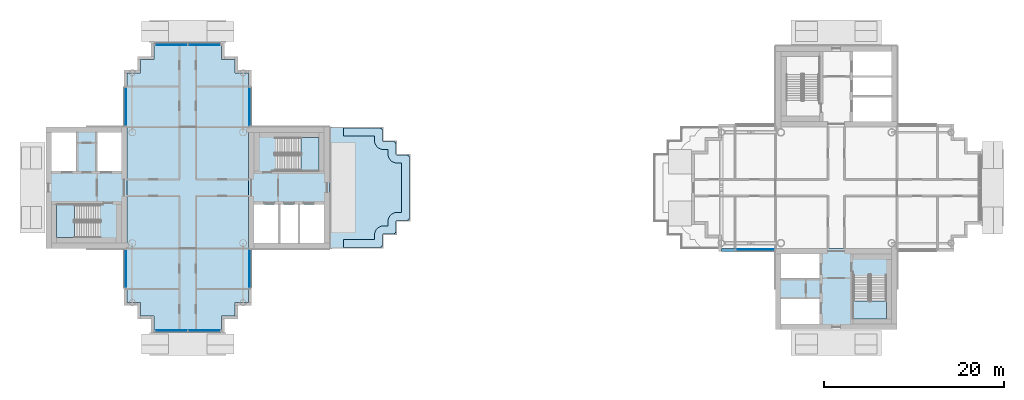
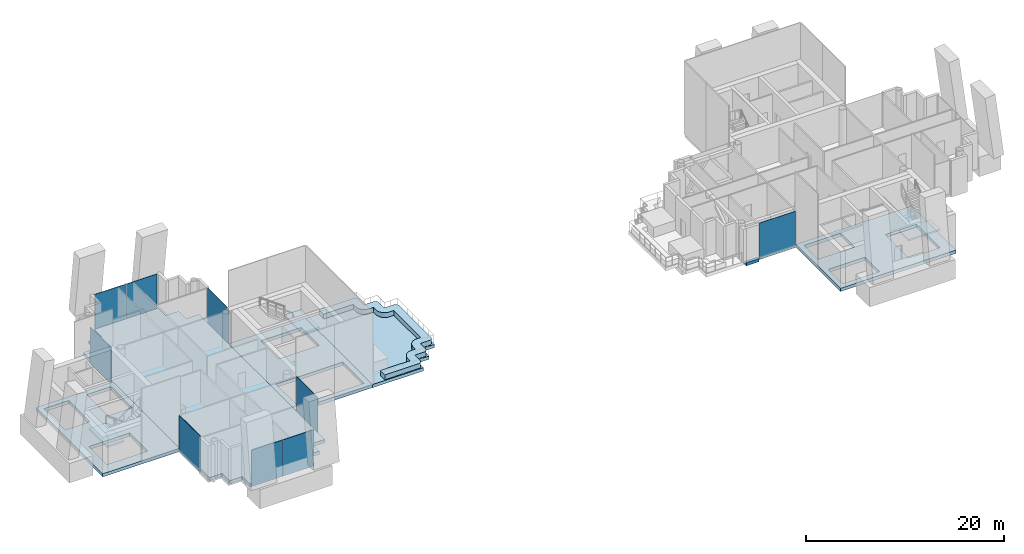
# One storey, part 5 of 16: 10 slabs, 9 plates, 10 elements without a shape of their own.
"""IFC4 building model written with IfcOpenShell, lengths in metres."""

from ifc_helpers import new_model, si_unit, direction, frame, origin, origin_2d, place, context, subcontext, project, spatial, polyline, rectangle, outline, extrude, material, layer, layer_set, type_object, element, aggregate, save


model = new_model("IFC4")

# Units and contexts
model_context = context("Model", 3, precision=1e-05, world=origin(), true_north=direction((0.0, 1.0)))
body_context = subcontext(model_context, "Body", "Model", "MODEL_VIEW")
ifc_project = project(units=[si_unit("LENGTHUNIT", "METRE"), si_unit("AREAUNIT", "SQUARE_METRE"), si_unit("VOLUMEUNIT", "CUBIC_METRE"), si_unit("PLANEANGLEUNIT", "RADIAN"), si_unit("MASSUNIT", "GRAM", prefix="KILO")], contexts=[model_context])

# Site, building, storey
site_placement = place(None, origin())
site = spatial("IfcSite", under=ifc_project, at=site_placement, CompositionType="ELEMENT")
building_placement = place(site_placement, origin())
building = spatial("IfcBuilding", under=site, at=building_placement, Name="Ipe Terrace Towers", CompositionType="ELEMENT")
storey_placement = place(building_placement, frame((0.0, 0.0, 233.39990234375)))
storey = spatial("IfcBuildingStorey", under=building, at=storey_placement, Name="L65", CompositionType="ELEMENT", Elevation=233.39990234375)

# Slabs
ifc_material_1 = material(Name="Concrete C30/37", Category="concrete")
ifc_layer_1 = layer(ifc_material_1, 0.39990234375)
ifc_layer_set_1 = layer_set([ifc_layer_1], Name="CORE FLOOR SLAB 400 C30-37")
slab_type_1 = type_object("IfcSlabType", Name="CORE FLOOR SLAB 400 C30-37", PredefinedType="FLOOR", material=ifc_layer_set_1)
slab_1_placement = place(storey_placement, frame((0.0, 0.0, -0.39990234375)))
element("IfcSlab", 1, at=slab_1_placement, inside=storey, type_object=slab_type_1, Name="Core floor T1-C1", PredefinedType="FLOOR", context=body_context, shape_type="SweptSolid", body=[
    extrude(outline(polyline([(-29.25, -6.75), (-29.25, 6.75), (-20.25, 6.75), (-20.25, -6.75), (-29.25, -6.75)]), holes=[polyline([(-28.64990234375, -6.14990234375), (-20.85009765625, -6.14990234375), (-20.85009765625, -1.85009765625), (-28.64990234375, -1.85009765625), (-28.64990234375, -6.14990234375)]), polyline([(-26.199951171875, 5.550048828125), (-26.199951171875, 1.89990234375), (-21.449951171875, 1.89990234375), (-21.449951171875, 5.550048828125), (-26.199951171875, 5.550048828125)])]), origin(), (0.0, 0.0, 1.0), 0.39990234375),
])
slab_2_placement = place(storey_placement, frame((0.0, 0.0, -0.39990234375)))
element("IfcSlab", 2, at=slab_2_placement, inside=storey, type_object=slab_type_1, Name="Core floor T1-C2", PredefinedType="FLOOR", context=body_context, shape_type="SweptSolid", body=[
    extrude(outline(polyline([(-51.75, -6.75), (-51.75, 6.75), (-42.75, 6.75), (-42.75, -6.75), (-51.75, -6.75)]), holes=[polyline([(-45.800048828125, -1.89990234375), (-50.550048828125, -1.89990234375), (-50.550048828125, -5.550048828125), (-45.800048828125, -5.550048828125), (-45.800048828125, -1.89990234375)]), polyline([(-48.25, 1.85009765625), (-48.25, 6.14990234375), (-51.14990234375, 6.14990234375), (-51.14990234375, 1.85009765625), (-48.25, 1.85009765625)]), polyline([(-43.35009765625, 1.85009765625), (-43.35009765625, 6.14990234375), (-46.14990234375, 6.14990234375), (-46.14990234375, 1.85009765625), (-43.35009765625, 1.85009765625)])]), origin(), (0.0, 0.0, 1.0), 0.39990234375),
])
slab_3_placement = place(storey_placement, frame((0.0, 0.0, -0.39990234375)))
element("IfcSlab", 3, at=slab_3_placement, inside=storey, type_object=slab_type_1, Name="Core floor T2-C2", PredefinedType="FLOOR", context=body_context, shape_type="SweptSolid", body=[
    extrude(outline(polyline([(29.25, -15.75), (29.25, -6.75), (42.75, -6.75), (42.75, -15.75), (29.25, -15.75)]), holes=[polyline([(29.85009765625, -12.25), (29.85009765625, -15.14990234375), (34.14990234375, -15.14990234375), (34.14990234375, -12.25), (29.85009765625, -12.25)]), polyline([(41.550048828125, -9.800048828125), (37.89990234375, -9.800048828125), (37.89990234375, -14.550048828125), (41.550048828125, -14.550048828125), (41.550048828125, -9.800048828125)]), polyline([(34.14990234375, -7.35009765625), (29.85009765625, -7.35009765625), (29.85009765625, -10.14990234375), (34.14990234375, -10.14990234375), (34.14990234375, -7.35009765625)])]), origin(), (0.0, 0.0, 1.0), 0.39990234375),
])

# Stair, slab
ifc_material_2 = material(Name="Concrete C30/37", Category="concrete")
stair_type = type_object("IfcStairType", Name="Protected exit stair", PredefinedType="HALF_TURN_STAIR", material=ifc_material_2)
stair_1_placement = place(storey_placement, origin())
stair_1 = element("IfcStair", 4, at=stair_1_placement, inside=storey, type_object=stair_type, Name="L65 Exit stair T1-C1", PredefinedType="HALF_TURN_STAIR")
ifc_material_3 = material(Name="Concrete C30/37", Category="concrete")
ifc_layer_2 = layer(ifc_material_3, 0.199951171875)
ifc_layer_set_2 = layer_set([ifc_layer_2], Name="Exit stair landing 200")
slab_type_2 = type_object("IfcSlabType", Name="Exit stair landing 200", PredefinedType="LANDING", material=ifc_layer_set_2)
slab_4_placement = place(storey_placement, frame((0.0, 0.0, 2.050048828125)))
slab_4 = element("IfcSlab", 5, at=slab_4_placement, type_object=slab_type_2, Name="T1-ST1 landing 1", PredefinedType="LANDING", context=body_context, shape_type="SweptSolid", body=[
    extrude(outline(polyline([(-23.43994140625, 1.89990234375), (-21.449951171875, 1.89990234375), (-21.449951171875, 5.550048828125), (-23.43994140625, 5.550048828125), (-23.43994140625, 1.89990234375)])), origin(), (0.0, 0.0, 1.0), 0.199951171875),
])
aggregate(stair_1, [slab_4])

stair_2_placement = place(storey_placement, origin())
stair_2 = element("IfcStair", 6, at=stair_2_placement, inside=storey, type_object=stair_type, Name="L65 Exit stair T1-C2", PredefinedType="HALF_TURN_STAIR")
slab_5_placement = place(storey_placement, frame((0.0, 0.0, 2.050048828125)))
slab_5 = element("IfcSlab", 7, at=slab_5_placement, type_object=slab_type_2, Name="T1-ST2 landing 1", PredefinedType="LANDING", context=body_context, shape_type="SweptSolid", body=[
    extrude(outline(polyline([(-48.56005859375, -1.89990234375), (-50.550048828125, -1.89990234375), (-50.550048828125, -5.550048828125), (-48.56005859375, -5.550048828125), (-48.56005859375, -1.89990234375)])), origin(), (0.0, 0.0, 1.0), 0.199951171875),
])
aggregate(stair_2, [slab_5])

stair_3_placement = place(storey_placement, origin())
stair_3 = element("IfcStair", 8, at=stair_3_placement, inside=storey, type_object=stair_type, Name="L65 Exit stair T2-C2", PredefinedType="HALF_TURN_STAIR")
slab_6_placement = place(storey_placement, frame((0.0, 0.0, 2.050048828125)))
slab_6 = element("IfcSlab", 9, at=slab_6_placement, type_object=slab_type_2, Name="T2-ST2 landing 1", PredefinedType="LANDING", context=body_context, shape_type="SweptSolid", body=[
    extrude(outline(polyline([(37.89990234375, -12.56005859375), (37.89990234375, -14.550048828125), (41.550048828125, -14.550048828125), (41.550048828125, -12.56005859375), (37.89990234375, -12.56005859375)])), origin(), (0.0, 0.0, 1.0), 0.199951171875),
])
aggregate(stair_3, [slab_6])

# Slabs
ifc_material_4 = material(Name="Concrete C40/50", Category="concrete")
ifc_layer_3 = layer(ifc_material_4, 0.39990234375)
ifc_layer_set_3 = layer_set([ifc_layer_3], Name="FLAT PLATE SLAB 400 C40-50")
slab_type_3 = type_object("IfcSlabType", Name="FLAT PLATE SLAB 400 C40-50", PredefinedType="FLOOR", material=ifc_layer_set_3)
slab_7_placement = place(storey_placement, frame((0.0, 0.0, -0.39990234375)))
element("IfcSlab", 10, at=slab_7_placement, inside=storey, type_object=slab_type_3, Name="Slab T1-FS-Z41", PredefinedType="FLOOR", context=body_context, shape_type="SweptSolid", body=[
    extrude(outline(polyline([(-30.75, -12.75), (-30.75, -14.25), (-32.25, -14.25), (-32.25, -15.75), (-39.75, -15.75), (-39.75, -14.25), (-41.25, -14.25), (-41.25, -12.75), (-42.75, -12.75), (-42.75, -6.75), (-42.75, 6.75), (-42.75, 12.75), (-41.25, 12.75), (-41.25, 14.25), (-39.75, 14.25), (-39.75, 15.75), (-32.25, 15.75), (-32.25, 14.25), (-30.75, 14.25), (-30.75, 12.75), (-29.25, 12.75), (-29.25, 6.75), (-29.25, -6.75), (-29.25, -12.75), (-30.75, -12.75)])), origin(), (0.0, 0.0, 1.0), 0.39990234375),
])
slab_8_placement = place(storey_placement, frame((0.0, 0.0, -0.39990234375)))
element("IfcSlab", 11, at=slab_8_placement, inside=storey, type_object=slab_type_3, Name="Slab ledge", PredefinedType="FLOOR", context=body_context, shape_type="SweptSolid", body=[
    extrude(outline(polyline([(23.25, -6.75), (24.75, -6.75), (24.75, -7.070068359375), (23.25, -7.070068359375), (23.25, -6.75)])), origin(), (0.0, 0.0, 1.0), 0.39990234375),
])

# Curtain wall, plate
ifc_material_5 = material(Name="Aluminium alloy 6063-T6", Category="aluminium")
ifc_layer_4 = layer(ifc_material_5, 0.320068359375)
ifc_layer_set_4 = layer_set([ifc_layer_4], Name="PLANT LOUVRE CURTAIN WALL")
curtain_wall_type = type_object("IfcCurtainWallType", Name="PLANT LOUVRE CURTAIN WALL", PredefinedType="NOTDEFINED", material=ifc_layer_set_4)
curtain_wall_1_placement = place(storey_placement, origin())
curtain_wall_1 = element("IfcCurtainWall", 12, at=curtain_wall_1_placement, inside=storey, type_object=curtain_wall_type, Name="T1-CW-L65-02a curtain wall", PredefinedType="NOTDEFINED")
ifc_material_6 = material(Name="Aluminium alloy 6063-T6 louvre", Category="aluminium")
ifc_layer_5 = layer(ifc_material_6, 0.050048828125)
ifc_layer_set_5 = layer_set([ifc_layer_5], Name="PLANT LOUVRE LOUVRE PANEL 50")
plate_type = type_object("IfcPlateType", Name="PLANT LOUVRE LOUVRE PANEL 50", PredefinedType="CURTAIN_PANEL", material=ifc_layer_set_5)
plate_1_placement = place(storey_placement, frame((-42.860107421875, -9.0, -0.2998046875), z_axis=(0.0, 0.0, 1.0), x_axis=(0.0, -1.0, 0.0)))
plate_1 = element("IfcPlate", 13, at=plate_1_placement, type_object=plate_type, Name="T1-CW-L65-02a panel 1", PredefinedType="CURTAIN_PANEL", context=body_context, shape_type="SweptSolid", body=[
    extrude(rectangle(XDim=4.239990234375, YDim=0.050048828125, at=origin_2d()), origin(), (0.0, 0.0, 1.0), 4.5),
])
aggregate(curtain_wall_1, [plate_1])

# Curtain wall, plates
curtain_wall_2_placement = place(storey_placement, origin())
curtain_wall_2 = element("IfcCurtainWall", 14, at=curtain_wall_2_placement, inside=storey, type_object=curtain_wall_type, Name="T1-CW-L65-08a curtain wall", PredefinedType="NOTDEFINED")
plate_2_placement = place(storey_placement, frame((-37.827392578125, -15.860107421875, -0.2998046875), z_axis=(0.0, 0.0, 1.0), x_axis=(1.0, 0.0, 0.0)))
plate_2 = element("IfcPlate", 15, at=plate_2_placement, type_object=plate_type, Name="T1-CW-L65-08a panel 1", PredefinedType="CURTAIN_PANEL", context=body_context, shape_type="SweptSolid", body=[
    extrude(rectangle(XDim=3.5849609375, YDim=0.050048828125, at=origin_2d()), origin(), (0.0, 0.0, 1.0), 4.5),
])
plate_3_placement = place(storey_placement, frame((-34.172607421875, -15.860107421875, -0.2998046875), z_axis=(0.0, 0.0, 1.0), x_axis=(1.0, 0.0, 0.0)))
plate_3 = element("IfcPlate", 16, at=plate_3_placement, type_object=plate_type, Name="T1-CW-L65-08a panel 2", PredefinedType="CURTAIN_PANEL", context=body_context, shape_type="SweptSolid", body=[
    extrude(rectangle(XDim=3.5849609375, YDim=0.050048828125, at=origin_2d()), origin(), (0.0, 0.0, 1.0), 4.5),
])
aggregate(curtain_wall_2, [plate_2, plate_3])

# Curtain wall, plate
curtain_wall_3_placement = place(storey_placement, origin())
curtain_wall_3 = element("IfcCurtainWall", 17, at=curtain_wall_3_placement, inside=storey, type_object=curtain_wall_type, Name="T1-CW-L65-14a curtain wall", PredefinedType="NOTDEFINED")
plate_4_placement = place(storey_placement, frame((-29.139892578125, -9.0, -0.2998046875), z_axis=(0.0, 0.0, 1.0), x_axis=(0.0, 1.0, 0.0)))
plate_4 = element("IfcPlate", 18, at=plate_4_placement, type_object=plate_type, Name="T1-CW-L65-14a panel 1", PredefinedType="CURTAIN_PANEL", context=body_context, shape_type="SweptSolid", body=[
    extrude(rectangle(XDim=4.239990234375, YDim=0.050048828125, at=origin_2d()), origin(), (0.0, 0.0, 1.0), 4.5),
])
aggregate(curtain_wall_3, [plate_4])

curtain_wall_4_placement = place(storey_placement, origin())
curtain_wall_4 = element("IfcCurtainWall", 19, at=curtain_wall_4_placement, inside=storey, type_object=curtain_wall_type, Name="T1-CW-L65-20a curtain wall", PredefinedType="NOTDEFINED")
plate_5_placement = place(storey_placement, frame((-29.139892578125, 9.0, -0.2998046875), z_axis=(0.0, 0.0, 1.0), x_axis=(0.0, 1.0, 0.0)))
plate_5 = element("IfcPlate", 20, at=plate_5_placement, type_object=plate_type, Name="T1-CW-L65-20a panel 1", PredefinedType="CURTAIN_PANEL", context=body_context, shape_type="SweptSolid", body=[
    extrude(rectangle(XDim=4.239990234375, YDim=0.050048828125, at=origin_2d()), origin(), (0.0, 0.0, 1.0), 4.5),
])
aggregate(curtain_wall_4, [plate_5])

# Curtain wall, plates
curtain_wall_5_placement = place(storey_placement, origin())
curtain_wall_5 = element("IfcCurtainWall", 21, at=curtain_wall_5_placement, inside=storey, type_object=curtain_wall_type, Name="T1-CW-L65-26a curtain wall", PredefinedType="NOTDEFINED")
plate_6_placement = place(storey_placement, frame((-34.172607421875, 15.860107421875, -0.2998046875), z_axis=(0.0, 0.0, 1.0), x_axis=(-1.0, 0.0, 0.0)))
plate_6 = element("IfcPlate", 22, at=plate_6_placement, type_object=plate_type, Name="T1-CW-L65-26a panel 1", PredefinedType="CURTAIN_PANEL", context=body_context, shape_type="SweptSolid", body=[
    extrude(rectangle(XDim=3.5849609375, YDim=0.050048828125, at=origin_2d()), origin(), (0.0, 0.0, 1.0), 4.5),
])
plate_7_placement = place(storey_placement, frame((-37.827392578125, 15.860107421875, -0.2998046875), z_axis=(0.0, 0.0, 1.0), x_axis=(-1.0, 0.0, 0.0)))
plate_7 = element("IfcPlate", 23, at=plate_7_placement, type_object=plate_type, Name="T1-CW-L65-26a panel 2", PredefinedType="CURTAIN_PANEL", context=body_context, shape_type="SweptSolid", body=[
    extrude(rectangle(XDim=3.5849609375, YDim=0.050048828125, at=origin_2d()), origin(), (0.0, 0.0, 1.0), 4.5),
])
aggregate(curtain_wall_5, [plate_6, plate_7])

# Curtain wall, plate
curtain_wall_6_placement = place(storey_placement, origin())
curtain_wall_6 = element("IfcCurtainWall", 24, at=curtain_wall_6_placement, inside=storey, type_object=curtain_wall_type, Name="T1-CW-L65-32a curtain wall", PredefinedType="NOTDEFINED")
plate_8_placement = place(storey_placement, frame((-42.860107421875, 9.0, -0.2998046875), z_axis=(0.0, 0.0, 1.0), x_axis=(0.0, -1.0, 0.0)))
plate_8 = element("IfcPlate", 25, at=plate_8_placement, type_object=plate_type, Name="T1-CW-L65-32a panel 1", PredefinedType="CURTAIN_PANEL", context=body_context, shape_type="SweptSolid", body=[
    extrude(rectangle(XDim=4.239990234375, YDim=0.050048828125, at=origin_2d()), origin(), (0.0, 0.0, 1.0), 4.5),
])
aggregate(curtain_wall_6, [plate_8])

curtain_wall_7_placement = place(storey_placement, origin())
curtain_wall_7 = element("IfcCurtainWall", 26, at=curtain_wall_7_placement, inside=storey, type_object=curtain_wall_type, Name="T2-CW-L65-32a curtain wall", PredefinedType="NOTDEFINED")
plate_9_placement = place(storey_placement, frame((27.0, -6.860107421875, -0.2998046875), z_axis=(0.0, 0.0, 1.0), x_axis=(1.0, 0.0, 0.0)))
plate_9 = element("IfcPlate", 27, at=plate_9_placement, type_object=plate_type, Name="T2-CW-L65-32a panel 1", PredefinedType="CURTAIN_PANEL", context=body_context, shape_type="SweptSolid", body=[
    extrude(rectangle(XDim=4.239990234375, YDim=0.050048828125, at=origin_2d()), origin(), (0.0, 0.0, 1.0), 4.5),
])
aggregate(curtain_wall_7, [plate_9])

# Slabs
ifc_material_7 = material(Name="Concrete C40/50", Category="concrete")
ifc_layer_6 = layer(ifc_material_7, 0.39990234375)
ifc_layer_set_6 = layer_set([ifc_layer_6], Name="TERRACE DECK SLAB 400 C40-50")
slab_type_4 = type_object("IfcSlabType", Name="TERRACE DECK SLAB 400 C40-50", PredefinedType="FLOOR", material=ifc_layer_set_6)
slab_9_placement = place(storey_placement, frame((0.0, 0.0, -0.419921875)))
element("IfcSlab", 28, at=slab_9_placement, inside=storey, type_object=slab_type_4, Name="Slab T1-TD-L65-1", PredefinedType="FLOOR", context=body_context, shape_type="SweptSolid", body=[
    extrude(outline(polyline([(-20.2451171875, -6.7451171875), (-20.2451171875, 6.7451171875), (-14.2548828125, 6.7451171875), (-14.2548828125, 5.2451171875), (-12.7548828125, 5.2451171875), (-12.7548828125, 3.7451171875), (-11.2548828125, 3.7451171875), (-11.2548828125, -3.7451171875), (-12.7548828125, -3.7451171875), (-12.7548828125, -5.2451171875), (-14.2548828125, -5.2451171875), (-14.2548828125, -6.7451171875), (-20.2451171875, -6.7451171875)])), origin(), (0.0, 0.0, 1.0), 0.39990234375),
])
ifc_material_8 = material(Name="Concrete C30/37", Category="concrete")
ifc_layer_7 = layer(ifc_material_8, 0.60009765625)
ifc_layer_set_7 = layer_set([ifc_layer_7], Name="TERRACE PLANTING BED 900 x 600")
slab_type_5 = type_object("IfcSlabType", Name="TERRACE PLANTING BED 900 x 600", PredefinedType="USERDEFINED", material=ifc_layer_set_7)
slab_10_placement = place(storey_placement, frame((0.0, 0.0, -0.02001953125)))
element("IfcSlab", 29, at=slab_10_placement, inside=storey, type_object=slab_type_5, Name="planter", ObjectType="PLANTER", PredefinedType="USERDEFINED", context=body_context, shape_type="SweptSolid", body=[
    extrude(outline(polyline([(-15.260009765625, -5.739990234375), (-15.27001953125, -5.739990234375), (-18.72998046875, -5.739990234375), (-18.72998046875, -6.639892578125), (-14.760009765625, -6.639892578125), (-14.720947265625, -6.637939453125), (-14.681884765625, -6.632080078125), (-14.64404296875, -6.623046875), (-14.60693359375, -6.610107421875), (-14.571044921875, -6.593017578125), (-14.5380859375, -6.572998046875), (-14.506103515625, -6.549072265625), (-14.47705078125, -6.52294921875), (-14.450927734375, -6.493896484375), (-14.427001953125, -6.4619140625), (-14.406982421875, -6.428955078125), (-14.389892578125, -6.39306640625), (-14.376953125, -6.35595703125), (-14.367919921875, -6.318115234375), (-14.362060546875, -6.279052734375), (-14.360107421875, -6.239990234375), (-14.360107421875, -5.26611328125), (-14.360107421875, -5.256103515625), (-14.35888671875, -5.2490234375), (-14.35791015625, -5.23388671875), (-14.35595703125, -5.222900390625), (-14.35302734375, -5.212890625), (-14.34912109375, -5.202880859375), (-14.343994140625, -5.194091796875), (-14.337890625, -5.18505859375), (-14.3310546875, -5.177001953125), (-14.322998046875, -5.1689453125), (-14.31494140625, -5.162109375), (-14.305908203125, -5.156005859375), (-14.297119140625, -5.15087890625), (-14.287109375, -5.14697265625), (-14.277099609375, -5.14404296875), (-14.26611328125, -5.14208984375), (-14.2509765625, -5.14111328125), (-14.243896484375, -5.139892578125), (-14.23388671875, -5.139892578125), (-13.260009765625, -5.139892578125), (-13.220947265625, -5.137939453125), (-13.181884765625, -5.132080078125), (-13.14404296875, -5.123046875), (-13.10693359375, -5.110107421875), (-13.071044921875, -5.093017578125), (-13.0380859375, -5.072998046875), (-13.006103515625, -5.049072265625), (-12.97705078125, -5.02294921875), (-12.950927734375, -4.993896484375), (-12.927001953125, -4.9619140625), (-12.906982421875, -4.928955078125), (-12.889892578125, -4.89306640625), (-12.876953125, -4.85595703125), (-12.867919921875, -4.818115234375), (-12.862060546875, -4.779052734375), (-12.860107421875, -4.739990234375), (-12.860107421875, -3.76611328125), (-12.860107421875, -3.756103515625), (-12.85888671875, -3.7490234375), (-12.85791015625, -3.73388671875), (-12.85595703125, -3.722900390625), (-12.85302734375, -3.712890625), (-12.84912109375, -3.702880859375), (-12.843994140625, -3.694091796875), (-12.837890625, -3.68505859375), (-12.8310546875, -3.677001953125), (-12.822998046875, -3.6689453125), (-12.81494140625, -3.662109375), (-12.805908203125, -3.656005859375), (-12.797119140625, -3.65087890625), (-12.787109375, -3.64697265625), (-12.777099609375, -3.64404296875), (-12.76611328125, -3.64208984375), (-12.7509765625, -3.64111328125), (-12.743896484375, -3.639892578125), (-12.73388671875, -3.639892578125), (-11.760009765625, -3.639892578125), (-11.720947265625, -3.637939453125), (-11.681884765625, -3.632080078125), (-11.64404296875, -3.623046875), (-11.60693359375, -3.610107421875), (-11.571044921875, -3.593017578125), (-11.5380859375, -3.572998046875), (-11.506103515625, -3.549072265625), (-11.47705078125, -3.52294921875), (-11.450927734375, -3.493896484375), (-11.427001953125, -3.4619140625), (-11.406982421875, -3.428955078125), (-11.389892578125, -3.39306640625), (-11.376953125, -3.35595703125), (-11.367919921875, -3.318115234375), (-11.362060546875, -3.279052734375), (-11.360107421875, -3.239990234375), (-11.360107421875, 3.239990234375), (-11.362060546875, 3.279052734375), (-11.367919921875, 3.318115234375), (-11.376953125, 3.35595703125), (-11.389892578125, 3.39306640625), (-11.406982421875, 3.428955078125), (-11.427001953125, 3.4619140625), (-11.450927734375, 3.493896484375), (-11.47705078125, 3.52294921875), (-11.506103515625, 3.549072265625), (-11.5380859375, 3.572998046875), (-11.571044921875, 3.593017578125), (-11.60693359375, 3.610107421875), (-11.64404296875, 3.623046875), (-11.681884765625, 3.632080078125), (-11.720947265625, 3.637939453125), (-11.760009765625, 3.639892578125), (-12.73388671875, 3.639892578125), (-12.743896484375, 3.639892578125), (-12.7509765625, 3.64111328125), (-12.76611328125, 3.64208984375), (-12.777099609375, 3.64404296875), (-12.787109375, 3.64697265625), (-12.797119140625, 3.65087890625), (-12.805908203125, 3.656005859375), (-12.81494140625, 3.662109375), (-12.822998046875, 3.6689453125), (-12.8310546875, 3.677001953125), (-12.837890625, 3.68505859375), (-12.843994140625, 3.694091796875), (-12.84912109375, 3.702880859375), (-12.85302734375, 3.712890625), (-12.85595703125, 3.722900390625), (-12.85791015625, 3.73388671875), (-12.85888671875, 3.7490234375), (-12.860107421875, 3.756103515625), (-12.860107421875, 3.76611328125), (-12.860107421875, 4.739990234375), (-12.862060546875, 4.779052734375), (-12.867919921875, 4.818115234375), (-12.876953125, 4.85595703125), (-12.889892578125, 4.89306640625), (-12.906982421875, 4.928955078125), (-12.927001953125, 4.9619140625), (-12.950927734375, 4.993896484375), (-12.97705078125, 5.02294921875), (-13.006103515625, 5.049072265625), (-13.0380859375, 5.072998046875), (-13.071044921875, 5.093017578125), (-13.10693359375, 5.110107421875), (-13.14404296875, 5.123046875), (-13.181884765625, 5.132080078125), (-13.220947265625, 5.137939453125), (-13.260009765625, 5.139892578125), (-14.23388671875, 5.139892578125), (-14.243896484375, 5.139892578125), (-14.2509765625, 5.14111328125), (-14.26611328125, 5.14208984375), (-14.277099609375, 5.14404296875), (-14.287109375, 5.14697265625), (-14.297119140625, 5.15087890625), (-14.305908203125, 5.156005859375), (-14.31494140625, 5.162109375), (-14.322998046875, 5.1689453125), (-14.3310546875, 5.177001953125), (-14.337890625, 5.18505859375), (-14.343994140625, 5.194091796875), (-14.34912109375, 5.202880859375), (-14.35302734375, 5.212890625), (-14.35595703125, 5.222900390625), (-14.35791015625, 5.23388671875), (-14.35888671875, 5.2490234375), (-14.360107421875, 5.256103515625), (-14.360107421875, 5.26611328125), (-14.360107421875, 6.239990234375), (-14.362060546875, 6.279052734375), (-14.367919921875, 6.318115234375), (-14.376953125, 6.35595703125), (-14.389892578125, 6.39306640625), (-14.406982421875, 6.428955078125), (-14.427001953125, 6.4619140625), (-14.450927734375, 6.493896484375), (-14.47705078125, 6.52294921875), (-14.506103515625, 6.549072265625), (-14.5380859375, 6.572998046875), (-14.571044921875, 6.593017578125), (-14.60693359375, 6.610107421875), (-14.64404296875, 6.623046875), (-14.681884765625, 6.632080078125), (-14.720947265625, 6.637939453125), (-14.760009765625, 6.639892578125), (-18.72998046875, 6.639892578125), (-18.72998046875, 5.739990234375), (-15.27001953125, 5.739990234375), (-15.260009765625, 5.739990234375), (-15.260009765625, 5.72998046875), (-15.260009765625, 5.2490234375), (-15.260009765625, 5.22900390625), (-15.257080078125, 5.1708984375), (-15.2529296875, 5.132080078125), (-15.243896484375, 5.072021484375), (-15.236083984375, 5.033935546875), (-15.221923828125, 4.97607421875), (-15.2099609375, 4.93798828125), (-15.18994140625, 4.882080078125), (-15.175048828125, 4.845947265625), (-15.14990234375, 4.791015625), (-15.131103515625, 4.757080078125), (-15.10009765625, 4.705078125), (-15.0791015625, 4.673095703125), (-15.04296875, 4.625), (-15.01806640625, 4.593994140625), (-14.97802734375, 4.550048828125), (-14.949951171875, 4.52197265625), (-14.906005859375, 4.48193359375), (-14.875, 4.45703125), (-14.826904296875, 4.4208984375), (-14.794921875, 4.39990234375), (-14.742919921875, 4.368896484375), (-14.708984375, 4.35009765625), (-14.654052734375, 4.324951171875), (-14.617919921875, 4.31005859375), (-14.56201171875, 4.2900390625), (-14.52392578125, 4.278076171875), (-14.466064453125, 4.263916015625), (-14.427978515625, 4.256103515625), (-14.367919921875, 4.2470703125), (-14.3291015625, 4.242919921875), (-14.27099609375, 4.239990234375), (-14.2509765625, 4.239990234375), (-13.77001953125, 4.239990234375), (-13.760009765625, 4.239990234375), (-13.760009765625, 4.22998046875), (-13.760009765625, 3.7490234375), (-13.760009765625, 3.72900390625), (-13.757080078125, 3.6708984375), (-13.7529296875, 3.632080078125), (-13.743896484375, 3.572021484375), (-13.736083984375, 3.533935546875), (-13.721923828125, 3.47607421875), (-13.7099609375, 3.43798828125), (-13.68994140625, 3.382080078125), (-13.675048828125, 3.345947265625), (-13.64990234375, 3.291015625), (-13.631103515625, 3.257080078125), (-13.60009765625, 3.205078125), (-13.5791015625, 3.173095703125), (-13.54296875, 3.125), (-13.51806640625, 3.093994140625), (-13.47802734375, 3.050048828125), (-13.449951171875, 3.02197265625), (-13.406005859375, 2.98193359375), (-13.375, 2.95703125), (-13.326904296875, 2.9208984375), (-13.294921875, 2.89990234375), (-13.242919921875, 2.868896484375), (-13.208984375, 2.85009765625), (-13.154052734375, 2.824951171875), (-13.117919921875, 2.81005859375), (-13.06201171875, 2.7900390625), (-13.02392578125, 2.778076171875), (-12.966064453125, 2.763916015625), (-12.927978515625, 2.756103515625), (-12.867919921875, 2.7470703125), (-12.8291015625, 2.742919921875), (-12.77099609375, 2.739990234375), (-12.7509765625, 2.739990234375), (-12.27001953125, 2.739990234375), (-12.260009765625, 2.739990234375), (-12.260009765625, 2.72998046875), (-12.260009765625, -2.72998046875), (-12.260009765625, -2.739990234375), (-12.27001953125, -2.739990234375), (-12.7509765625, -2.739990234375), (-12.77099609375, -2.739990234375), (-12.8291015625, -2.742919921875), (-12.867919921875, -2.7470703125), (-12.927978515625, -2.756103515625), (-12.966064453125, -2.763916015625), (-13.02392578125, -2.778076171875), (-13.06201171875, -2.7900390625), (-13.117919921875, -2.81005859375), (-13.154052734375, -2.824951171875), (-13.208984375, -2.85009765625), (-13.242919921875, -2.868896484375), (-13.294921875, -2.89990234375), (-13.326904296875, -2.9208984375), (-13.375, -2.95703125), (-13.406005859375, -2.98193359375), (-13.449951171875, -3.02197265625), (-13.47802734375, -3.050048828125), (-13.51806640625, -3.093994140625), (-13.54296875, -3.125), (-13.5791015625, -3.173095703125), (-13.60009765625, -3.205078125), (-13.631103515625, -3.257080078125), (-13.64990234375, -3.291015625), (-13.675048828125, -3.345947265625), (-13.68994140625, -3.382080078125), (-13.7099609375, -3.43798828125), (-13.721923828125, -3.47607421875), (-13.736083984375, -3.533935546875), (-13.743896484375, -3.572021484375), (-13.7529296875, -3.632080078125), (-13.757080078125, -3.6708984375), (-13.760009765625, -3.72900390625), (-13.760009765625, -3.7490234375), (-13.760009765625, -4.22998046875), (-13.760009765625, -4.239990234375), (-13.77001953125, -4.239990234375), (-14.2509765625, -4.239990234375), (-14.27099609375, -4.239990234375), (-14.3291015625, -4.242919921875), (-14.367919921875, -4.2470703125), (-14.427978515625, -4.256103515625), (-14.466064453125, -4.263916015625), (-14.52392578125, -4.278076171875), (-14.56201171875, -4.2900390625), (-14.617919921875, -4.31005859375), (-14.654052734375, -4.324951171875), (-14.708984375, -4.35009765625), (-14.742919921875, -4.368896484375), (-14.794921875, -4.39990234375), (-14.826904296875, -4.4208984375), (-14.875, -4.45703125), (-14.906005859375, -4.48193359375), (-14.949951171875, -4.52197265625), (-14.97802734375, -4.550048828125), (-15.01806640625, -4.593994140625), (-15.04296875, -4.625), (-15.0791015625, -4.673095703125), (-15.10009765625, -4.705078125), (-15.131103515625, -4.757080078125), (-15.14990234375, -4.791015625), (-15.175048828125, -4.845947265625), (-15.18994140625, -4.882080078125), (-15.2099609375, -4.93798828125), (-15.221923828125, -4.97607421875), (-15.236083984375, -5.033935546875), (-15.243896484375, -5.072021484375), (-15.2529296875, -5.132080078125), (-15.257080078125, -5.1708984375), (-15.260009765625, -5.22900390625), (-15.260009765625, -5.2490234375), (-15.260009765625, -5.72998046875), (-15.260009765625, -5.739990234375)])), origin(), (0.0, 0.0, 1.0), 0.60009765625),
])

save(model, "model.ifc")
